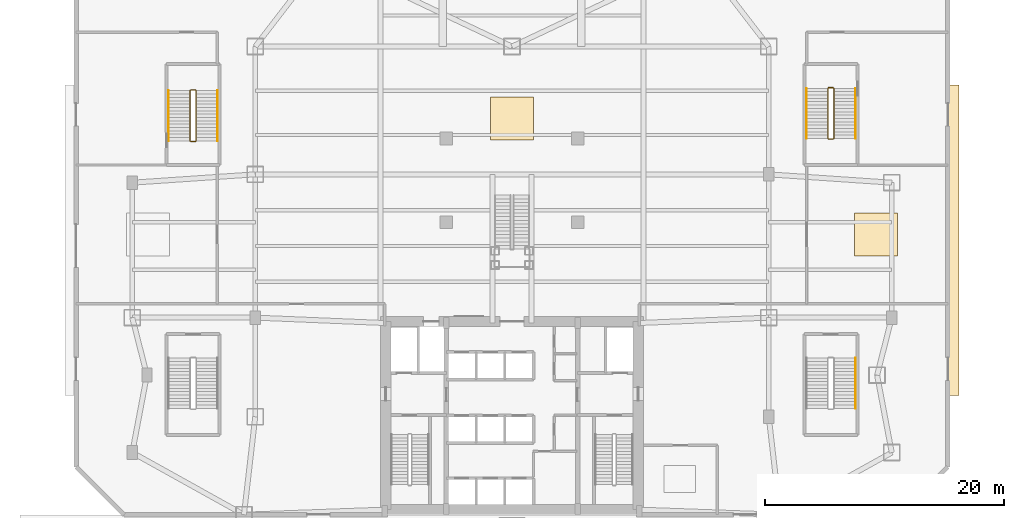
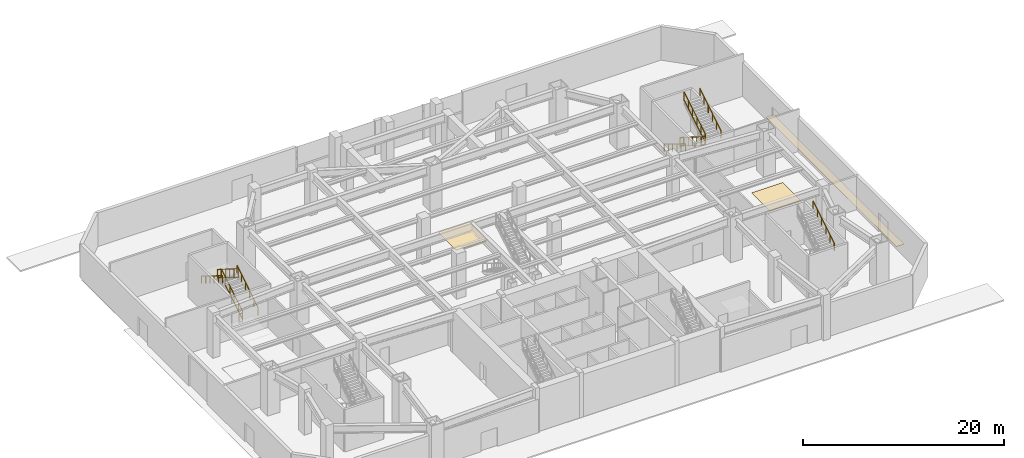
# One storey, part 11 of 11: 13 railings, 3 coverings.
"""IFC4 building model written with IfcOpenShell, lengths in metres."""

from ifc_helpers import new_model, si_unit, direction, frame, origin, origin_2d, place, context, subcontext, project, spatial, rectangle, extrude, source, transform, mapped, material, layer, layer_set, type_object, type_shapes, element, save


model = new_model("IFC4")

# Units and contexts
model_context = context("Model", 3, precision=1e-05, world=origin(), true_north=direction((0.0, 1.0)))
body_context = subcontext(model_context, "Body", "Model", "MODEL_VIEW")
ifc_project = project(units=[si_unit("LENGTHUNIT", "METRE"), si_unit("AREAUNIT", "SQUARE_METRE"), si_unit("VOLUMEUNIT", "CUBIC_METRE"), si_unit("PLANEANGLEUNIT", "RADIAN"), si_unit("MASSUNIT", "GRAM", prefix="KILO")], contexts=[model_context])

# Site, building, storey
site_placement = place(None, origin())
site = spatial("IfcSite", under=ifc_project, at=site_placement, CompositionType="ELEMENT")
building_placement = place(site_placement, origin())
building = spatial("IfcBuilding", under=site, at=building_placement, Name="Varnakhor Terracotta Tower", CompositionType="ELEMENT")
storey_placement = place(building_placement, origin())
storey = spatial("IfcBuildingStorey", under=building, at=storey_placement, Name="L00", CompositionType="ELEMENT", Elevation=0.0)

# Railings
ifc_material_1 = material(Name="Painted Steel Stairwell Guardrail", Category="steel")
railing_type_1 = type_object("IfcRailingType", Name="RLG-STAIR-GUARD-1120", PredefinedType="GUARDRAIL", material=ifc_material_1)
railing_1_placement = place(storey_placement, frame((-26.449951171875, 31.300048828125, 0.171875)))
element("IfcRailing", 1, at=railing_1_placement, inside=storey, type_object=railing_type_1, Name="L00 ST-P3 stair guard 1", PredefinedType="GUARDRAIL", context=body_context, shape_type="SweptSolid", body=[
    extrude(rectangle(XDim=0.048095703125, YDim=0.048095703125, at=origin_2d()), frame((0.0, 0.0, 1.09619140625), z_axis=(0.0, 0.852242915053, 0.523146264196), x_axis=(-1.0, 0.0, 0.0)), (0.0, 0.0, 1.0), 4.92822265625),
    extrude(rectangle(XDim=0.048095703125, YDim=0.048095703125, at=origin_2d()), frame((0.0, 0.0, 0.10009765625), z_axis=(0.0, 0.852242915053, 0.523146264196), x_axis=(-1.0, 0.0, 0.0)), (0.0, 0.0, 1.0), 4.92822265625),
    extrude(rectangle(XDim=0.0419921875, YDim=0.0419921875, at=origin_2d()), origin(), (0.0, 0.0, 1.0), 1.072021484375),
    extrude(rectangle(XDim=0.0419921875, YDim=0.0419921875, at=origin_2d()), frame((0.0, 0.840087890625, 0.515625)), (0.0, 0.0, 1.0), 1.072021484375),
    extrude(rectangle(XDim=0.0419921875, YDim=0.0419921875, at=origin_2d()), frame((0.0, 1.679931640625, 1.03125)), (0.0, 0.0, 1.0), 1.072021484375),
    extrude(rectangle(XDim=0.0419921875, YDim=0.0419921875, at=origin_2d()), frame((0.0, 2.52001953125, 1.546875)), (0.0, 0.0, 1.0), 1.072021484375),
    extrude(rectangle(XDim=0.0419921875, YDim=0.0419921875, at=origin_2d()), frame((0.0, 3.35986328125, 2.0625)), (0.0, 0.0, 1.0), 1.072021484375),
    extrude(rectangle(XDim=0.0419921875, YDim=0.0419921875, at=origin_2d()), frame((0.0, 4.199951171875, 2.578125)), (0.0, 0.0, 1.0), 1.072021484375),
])
railing_2_placement = place(storey_placement, frame((-26.5, 35.550048828125, 2.75)))
element("IfcRailing", 2, at=railing_2_placement, inside=storey, type_object=railing_type_1, Name="L00 ST-P3 stair guard 2", PredefinedType="GUARDRAIL", context=body_context, shape_type="SweptSolid", body=[
    extrude(rectangle(XDim=0.048095703125, YDim=0.048095703125, at=origin_2d()), frame((0.0, 0.0, 1.09619140625), z_axis=(-1.0, 0.0, 0.0), x_axis=(0.0, -1.0, 0.0)), (0.0, 0.0, 1.0), 0.39990234375),
    extrude(rectangle(XDim=0.048095703125, YDim=0.048095703125, at=origin_2d()), frame((0.0, 0.0, 0.10009765625), z_axis=(-1.0, 0.0, 0.0), x_axis=(0.0, -1.0, 0.0)), (0.0, 0.0, 1.0), 0.39990234375),
    extrude(rectangle(XDim=0.0419921875, YDim=0.0419921875, at=origin_2d()), origin(), (0.0, 0.0, 1.0), 1.072021484375),
    extrude(rectangle(XDim=0.0419921875, YDim=0.0419921875, at=origin_2d()), frame((-0.39990234375, 0.0, 0.0)), (0.0, 0.0, 1.0), 1.072021484375),
])
railing_3_placement = place(storey_placement, frame((-26.949951171875, 35.5, 2.921875)))
element("IfcRailing", 3, at=railing_3_placement, inside=storey, type_object=railing_type_1, Name="L00 ST-P3 stair guard 3", PredefinedType="GUARDRAIL", context=body_context, shape_type="SweptSolid", body=[
    extrude(rectangle(XDim=0.048095703125, YDim=0.048095703125, at=origin_2d()), frame((0.0, 0.0, 1.09619140625), z_axis=(0.0, -0.852242915053, 0.523146264196), x_axis=(1.0, 0.0, 0.0)), (0.0, 0.0, 1.0), 4.92822265625),
    extrude(rectangle(XDim=0.048095703125, YDim=0.048095703125, at=origin_2d()), frame((0.0, 0.0, 0.10009765625), z_axis=(0.0, -0.852242915053, 0.523146264196), x_axis=(1.0, 0.0, 0.0)), (0.0, 0.0, 1.0), 4.92822265625),
    extrude(rectangle(XDim=0.0419921875, YDim=0.0419921875, at=origin_2d()), origin(), (0.0, 0.0, 1.0), 1.072021484375),
    extrude(rectangle(XDim=0.0419921875, YDim=0.0419921875, at=origin_2d()), frame((0.0, -0.840087890625, 0.515625)), (0.0, 0.0, 1.0), 1.072021484375),
    extrude(rectangle(XDim=0.0419921875, YDim=0.0419921875, at=origin_2d()), frame((0.0, -1.679931640625, 1.03125)), (0.0, 0.0, 1.0), 1.072021484375),
    extrude(rectangle(XDim=0.0419921875, YDim=0.0419921875, at=origin_2d()), frame((0.0, -2.52001953125, 1.546875)), (0.0, 0.0, 1.0), 1.072021484375),
    extrude(rectangle(XDim=0.0419921875, YDim=0.0419921875, at=origin_2d()), frame((0.0, -3.35986328125, 2.0625)), (0.0, 0.0, 1.0), 1.072021484375),
    extrude(rectangle(XDim=0.0419921875, YDim=0.0419921875, at=origin_2d()), frame((0.0, -4.199951171875, 2.578125)), (0.0, 0.0, 1.0), 1.072021484375),
])
railing_4_placement = place(storey_placement, frame((-26.5, 31.25, 0.0)))
element("IfcRailing", 4, at=railing_4_placement, inside=storey, type_object=railing_type_1, Name="L00 ST-P3 stair guard 4", PredefinedType="GUARDRAIL", context=body_context, shape_type="SweptSolid", body=[
    extrude(rectangle(XDim=0.048095703125, YDim=0.048095703125, at=origin_2d()), frame((0.0, 0.0, 1.09619140625), z_axis=(-1.0, 0.0, 0.0), x_axis=(0.0, -1.0, 0.0)), (0.0, 0.0, 1.0), 0.39990234375),
    extrude(rectangle(XDim=0.048095703125, YDim=0.048095703125, at=origin_2d()), frame((0.0, 0.0, 0.10009765625), z_axis=(-1.0, 0.0, 0.0), x_axis=(0.0, -1.0, 0.0)), (0.0, 0.0, 1.0), 0.39990234375),
    extrude(rectangle(XDim=0.0419921875, YDim=0.0419921875, at=origin_2d()), origin(), (0.0, 0.0, 1.0), 1.072021484375),
    extrude(rectangle(XDim=0.0419921875, YDim=0.0419921875, at=origin_2d()), frame((-0.39990234375, 0.0, 0.0)), (0.0, 0.0, 1.0), 1.072021484375),
])
railing_5_placement = place(storey_placement, frame((26.449951171875, 35.699951171875, 0.171875)))
element("IfcRailing", 5, at=railing_5_placement, inside=storey, type_object=railing_type_1, Name="L00 ST-P4 stair guard 1", PredefinedType="GUARDRAIL", context=body_context, shape_type="SweptSolid", body=[
    extrude(rectangle(XDim=0.048095703125, YDim=0.048095703125, at=origin_2d()), frame((0.0, 0.0, 1.09619140625), z_axis=(0.0, -0.852242915053, 0.523146264196), x_axis=(1.0, 0.0, 0.0)), (0.0, 0.0, 1.0), 4.92822265625),
    extrude(rectangle(XDim=0.048095703125, YDim=0.048095703125, at=origin_2d()), frame((0.0, 0.0, 0.10009765625), z_axis=(0.0, -0.852242915053, 0.523146264196), x_axis=(1.0, 0.0, 0.0)), (0.0, 0.0, 1.0), 4.92822265625),
    extrude(rectangle(XDim=0.0419921875, YDim=0.0419921875, at=origin_2d()), origin(), (0.0, 0.0, 1.0), 1.072021484375),
    extrude(rectangle(XDim=0.0419921875, YDim=0.0419921875, at=origin_2d()), frame((0.0, -0.840087890625, 0.515625)), (0.0, 0.0, 1.0), 1.072021484375),
    extrude(rectangle(XDim=0.0419921875, YDim=0.0419921875, at=origin_2d()), frame((0.0, -1.679931640625, 1.03125)), (0.0, 0.0, 1.0), 1.072021484375),
    extrude(rectangle(XDim=0.0419921875, YDim=0.0419921875, at=origin_2d()), frame((0.0, -2.52001953125, 1.546875)), (0.0, 0.0, 1.0), 1.072021484375),
    extrude(rectangle(XDim=0.0419921875, YDim=0.0419921875, at=origin_2d()), frame((0.0, -3.35986328125, 2.0625)), (0.0, 0.0, 1.0), 1.072021484375),
    extrude(rectangle(XDim=0.0419921875, YDim=0.0419921875, at=origin_2d()), frame((0.0, -4.199951171875, 2.578125)), (0.0, 0.0, 1.0), 1.072021484375),
])
railing_6_placement = place(storey_placement, frame((26.5, 31.449951171875, 2.75)))
element("IfcRailing", 6, at=railing_6_placement, inside=storey, type_object=railing_type_1, Name="L00 ST-P4 stair guard 2", PredefinedType="GUARDRAIL", context=body_context, shape_type="SweptSolid", body=[
    extrude(rectangle(XDim=0.048095703125, YDim=0.048095703125, at=origin_2d()), frame((0.0, 0.0, 1.09619140625), z_axis=(1.0, 0.0, 0.0), x_axis=(0.0, 1.0, 0.0)), (0.0, 0.0, 1.0), 0.39990234375),
    extrude(rectangle(XDim=0.048095703125, YDim=0.048095703125, at=origin_2d()), frame((0.0, 0.0, 0.10009765625), z_axis=(1.0, 0.0, 0.0), x_axis=(0.0, 1.0, 0.0)), (0.0, 0.0, 1.0), 0.39990234375),
    extrude(rectangle(XDim=0.0419921875, YDim=0.0419921875, at=origin_2d()), origin(), (0.0, 0.0, 1.0), 1.072021484375),
    extrude(rectangle(XDim=0.0419921875, YDim=0.0419921875, at=origin_2d()), frame((0.39990234375, 0.0, 0.0)), (0.0, 0.0, 1.0), 1.072021484375),
])
railing_7_placement = place(storey_placement, frame((26.949951171875, 31.5, 2.921875)))
element("IfcRailing", 7, at=railing_7_placement, inside=storey, type_object=railing_type_1, Name="L00 ST-P4 stair guard 3", PredefinedType="GUARDRAIL", context=body_context, shape_type="SweptSolid", body=[
    extrude(rectangle(XDim=0.048095703125, YDim=0.048095703125, at=origin_2d()), frame((0.0, 0.0, 1.09619140625), z_axis=(0.0, 0.852242915053, 0.523146264196), x_axis=(-1.0, 0.0, 0.0)), (0.0, 0.0, 1.0), 4.92822265625),
    extrude(rectangle(XDim=0.048095703125, YDim=0.048095703125, at=origin_2d()), frame((0.0, 0.0, 0.10009765625), z_axis=(0.0, 0.852242915053, 0.523146264196), x_axis=(-1.0, 0.0, 0.0)), (0.0, 0.0, 1.0), 4.92822265625),
    extrude(rectangle(XDim=0.0419921875, YDim=0.0419921875, at=origin_2d()), origin(), (0.0, 0.0, 1.0), 1.072021484375),
    extrude(rectangle(XDim=0.0419921875, YDim=0.0419921875, at=origin_2d()), frame((0.0, 0.840087890625, 0.515625)), (0.0, 0.0, 1.0), 1.072021484375),
    extrude(rectangle(XDim=0.0419921875, YDim=0.0419921875, at=origin_2d()), frame((0.0, 1.679931640625, 1.03125)), (0.0, 0.0, 1.0), 1.072021484375),
    extrude(rectangle(XDim=0.0419921875, YDim=0.0419921875, at=origin_2d()), frame((0.0, 2.52001953125, 1.546875)), (0.0, 0.0, 1.0), 1.072021484375),
    extrude(rectangle(XDim=0.0419921875, YDim=0.0419921875, at=origin_2d()), frame((0.0, 3.35986328125, 2.0625)), (0.0, 0.0, 1.0), 1.072021484375),
    extrude(rectangle(XDim=0.0419921875, YDim=0.0419921875, at=origin_2d()), frame((0.0, 4.199951171875, 2.578125)), (0.0, 0.0, 1.0), 1.072021484375),
])
railing_8_placement = place(storey_placement, frame((26.5, 35.75, 0.0)))
element("IfcRailing", 8, at=railing_8_placement, inside=storey, type_object=railing_type_1, Name="L00 ST-P4 stair guard 4", PredefinedType="GUARDRAIL", context=body_context, shape_type="SweptSolid", body=[
    extrude(rectangle(XDim=0.048095703125, YDim=0.048095703125, at=origin_2d()), frame((0.0, 0.0, 1.09619140625), z_axis=(1.0, 0.0, 0.0), x_axis=(0.0, 1.0, 0.0)), (0.0, 0.0, 1.0), 0.39990234375),
    extrude(rectangle(XDim=0.048095703125, YDim=0.048095703125, at=origin_2d()), frame((0.0, 0.0, 0.10009765625), z_axis=(1.0, 0.0, 0.0), x_axis=(0.0, 1.0, 0.0)), (0.0, 0.0, 1.0), 0.39990234375),
    extrude(rectangle(XDim=0.0419921875, YDim=0.0419921875, at=origin_2d()), origin(), (0.0, 0.0, 1.0), 1.072021484375),
    extrude(rectangle(XDim=0.0419921875, YDim=0.0419921875, at=origin_2d()), frame((0.39990234375, 0.0, 0.0)), (0.0, 0.0, 1.0), 1.072021484375),
])
ifc_material_2 = material(Name="Brushed Stainless Steel Handrail", Category="steel")
railing_type_2 = type_object("IfcRailingType", Name="RLG-STAIR-HANDRAIL-920", PredefinedType="HANDRAIL", material=ifc_material_2)
railing_9_placement = place(storey_placement, frame((28.75, 8.89990234375, 2.921875)))
element("IfcRailing", 9, at=railing_9_placement, inside=storey, type_object=railing_type_2, Name="L00 ST-P2 stair handrail 2", PredefinedType="HANDRAIL", context=body_context, shape_type="SweptSolid", body=[
    extrude(rectangle(XDim=0.048095703125, YDim=0.048095703125, at=origin_2d()), frame((0.0, 0.0, 0.89599609375), z_axis=(0.0, 0.852256472501, 0.523124177495), x_axis=(-1.0, 0.0, 0.0)), (0.0, 0.0, 1.0), 4.92822265625),
    extrude(rectangle(XDim=0.0419921875, YDim=0.0419921875, at=origin_2d()), origin(), (0.0, 0.0, 1.0), 0.871826171875),
    extrude(rectangle(XDim=0.0419921875, YDim=0.0419921875, at=origin_2d()), frame((0.0, 0.840087890625, 0.515625)), (0.0, 0.0, 1.0), 0.871826171875),
    extrude(rectangle(XDim=0.0419921875, YDim=0.0419921875, at=origin_2d()), frame((0.0, 1.68017578125, 1.03125)), (0.0, 0.0, 1.0), 0.871826171875),
    extrude(rectangle(XDim=0.0419921875, YDim=0.0419921875, at=origin_2d()), frame((0.0, 2.52001953125, 1.546875)), (0.0, 0.0, 1.0), 0.871826171875),
    extrude(rectangle(XDim=0.0419921875, YDim=0.0419921875, at=origin_2d()), frame((0.0, 3.360107421875, 2.0625)), (0.0, 0.0, 1.0), 0.871826171875),
    extrude(rectangle(XDim=0.0419921875, YDim=0.0419921875, at=origin_2d()), frame((0.0, 4.2001953125, 2.578125)), (0.0, 0.0, 1.0), 0.871826171875),
])
railing_10_placement = place(storey_placement, frame((-24.64990234375, 31.300048828125, 0.171875)))
element("IfcRailing", 10, at=railing_10_placement, inside=storey, type_object=railing_type_2, Name="L00 ST-P3 stair handrail 1", PredefinedType="HANDRAIL", context=body_context, shape_type="SweptSolid", body=[
    extrude(rectangle(XDim=0.048095703125, YDim=0.048095703125, at=origin_2d()), frame((0.0, 0.0, 0.89599609375), z_axis=(0.0, 0.852242915053, 0.523146264196), x_axis=(-1.0, 0.0, 0.0)), (0.0, 0.0, 1.0), 4.92822265625),
    extrude(rectangle(XDim=0.0419921875, YDim=0.0419921875, at=origin_2d()), origin(), (0.0, 0.0, 1.0), 0.871826171875),
    extrude(rectangle(XDim=0.0419921875, YDim=0.0419921875, at=origin_2d()), frame((0.0, 0.840087890625, 0.515625)), (0.0, 0.0, 1.0), 0.871826171875),
    extrude(rectangle(XDim=0.0419921875, YDim=0.0419921875, at=origin_2d()), frame((0.0, 1.679931640625, 1.03125)), (0.0, 0.0, 1.0), 0.871826171875),
    extrude(rectangle(XDim=0.0419921875, YDim=0.0419921875, at=origin_2d()), frame((0.0, 2.52001953125, 1.546875)), (0.0, 0.0, 1.0), 0.871826171875),
    extrude(rectangle(XDim=0.0419921875, YDim=0.0419921875, at=origin_2d()), frame((0.0, 3.35986328125, 2.0625)), (0.0, 0.0, 1.0), 0.871826171875),
    extrude(rectangle(XDim=0.0419921875, YDim=0.0419921875, at=origin_2d()), frame((0.0, 4.199951171875, 2.578125)), (0.0, 0.0, 1.0), 0.871826171875),
])
for number, where, name in (
    (11, (-28.75, 35.5, 2.921875), "L00 ST-P3 stair handrail 2"),
    (12, (24.64990234375, 35.699951171875, 0.171875), "L00 ST-P4 stair handrail 1"),
):
    element("IfcRailing", number, at=place(storey_placement, frame(where)), inside=storey, type_object=railing_type_2, Name=name, PredefinedType="HANDRAIL", context=body_context, shape_type="SweptSolid", body=[
        extrude(rectangle(XDim=0.048095703125, YDim=0.048095703125, at=origin_2d()), frame((0.0, 0.0, 0.89599609375), z_axis=(0.0, -0.852242915053, 0.523146264196), x_axis=(1.0, 0.0, 0.0)), (0.0, 0.0, 1.0), 4.92822265625),
        extrude(rectangle(XDim=0.0419921875, YDim=0.0419921875, at=origin_2d()), origin(), (0.0, 0.0, 1.0), 0.871826171875),
        extrude(rectangle(XDim=0.0419921875, YDim=0.0419921875, at=origin_2d()), frame((0.0, -0.840087890625, 0.515625)), (0.0, 0.0, 1.0), 0.871826171875),
        extrude(rectangle(XDim=0.0419921875, YDim=0.0419921875, at=origin_2d()), frame((0.0, -1.679931640625, 1.03125)), (0.0, 0.0, 1.0), 0.871826171875),
        extrude(rectangle(XDim=0.0419921875, YDim=0.0419921875, at=origin_2d()), frame((0.0, -2.52001953125, 1.546875)), (0.0, 0.0, 1.0), 0.871826171875),
        extrude(rectangle(XDim=0.0419921875, YDim=0.0419921875, at=origin_2d()), frame((0.0, -3.35986328125, 2.0625)), (0.0, 0.0, 1.0), 0.871826171875),
        extrude(rectangle(XDim=0.0419921875, YDim=0.0419921875, at=origin_2d()), frame((0.0, -4.199951171875, 2.578125)), (0.0, 0.0, 1.0), 0.871826171875),
    ])
railing_11_placement = place(storey_placement, frame((28.75, 31.5, 2.921875)))
element("IfcRailing", 13, at=railing_11_placement, inside=storey, type_object=railing_type_2, Name="L00 ST-P4 stair handrail 2", PredefinedType="HANDRAIL", context=body_context, shape_type="SweptSolid", body=[
    extrude(rectangle(XDim=0.048095703125, YDim=0.048095703125, at=origin_2d()), frame((0.0, 0.0, 0.89599609375), z_axis=(0.0, 0.852242915053, 0.523146264196), x_axis=(-1.0, 0.0, 0.0)), (0.0, 0.0, 1.0), 4.92822265625),
    extrude(rectangle(XDim=0.0419921875, YDim=0.0419921875, at=origin_2d()), origin(), (0.0, 0.0, 1.0), 0.871826171875),
    extrude(rectangle(XDim=0.0419921875, YDim=0.0419921875, at=origin_2d()), frame((0.0, 0.840087890625, 0.515625)), (0.0, 0.0, 1.0), 0.871826171875),
    extrude(rectangle(XDim=0.0419921875, YDim=0.0419921875, at=origin_2d()), frame((0.0, 1.679931640625, 1.03125)), (0.0, 0.0, 1.0), 0.871826171875),
    extrude(rectangle(XDim=0.0419921875, YDim=0.0419921875, at=origin_2d()), frame((0.0, 2.52001953125, 1.546875)), (0.0, 0.0, 1.0), 0.871826171875),
    extrude(rectangle(XDim=0.0419921875, YDim=0.0419921875, at=origin_2d()), frame((0.0, 3.35986328125, 2.0625)), (0.0, 0.0, 1.0), 0.871826171875),
    extrude(rectangle(XDim=0.0419921875, YDim=0.0419921875, at=origin_2d()), frame((0.0, 4.199951171875, 2.578125)), (0.0, 0.0, 1.0), 0.871826171875),
])

# Coverings
ifc_material_3 = material(Name="Honed Riyadh Limestone Flooring", Category="masonry")
ifc_layer = layer(ifc_material_3, 0.030029296875, Name="Honed Riyadh Limestone Flooring")
ifc_layer_set = layer_set([ifc_layer], Name="Honed Riyadh Limestone Flooring")
covering_type = type_object("IfcCoveringType", Name="COV-FLOOR-LIMESTONE", PredefinedType="FLOORING", material=ifc_layer_set)
shared_shape_1 = source(origin(), body_context, "Body", "SweptSolid", [
    extrude(rectangle(XDim=0.89990234375, YDim=26.0, at=origin_2d()), origin(), (0.0, 0.0, 1.0), 0.0400390625),
])
type_shapes(covering_type, [shared_shape_1])
covering_placement = place(storey_placement, frame((36.97998046875, 23.0, -0.0400390625), z_axis=(0.0, 0.0, 1.0), x_axis=(1.0, 0.0, 0.0)))
element("IfcCovering", 14, at=covering_placement, inside=storey, type_object=covering_type, Name="L00 Entrance Threshold Stone Paving EAST", PredefinedType="FLOORING", context=body_context, shape_type="MappedRepresentation", body=[
    mapped(shared_shape_1, transform((0.0, 0.0, 0.0), scale=1.0)),
])
shared_shape_2 = source(origin(), body_context, "Body", "SweptSolid", [
    extrude(rectangle(XDim=3.60009765625, YDim=3.60009765625, at=origin_2d()), origin(), (0.0, 0.0, 1.0), 0.02001953125),
])
for number, where, z_axis, x_axis, name in (
    (15, (30.493896484375, 23.47900390625, 0.0), (0.0, 0.0, 1.0), (1.0, 0.0, 0.0), "L00 Honed Stone Flooring 3"),
    (16, (0.0, 33.169921875, 0.0), (0.0, 0.0, 1.0), (1.0, 0.0, 0.0), "L00 Honed Stone Flooring 4"),
):
    element("IfcCovering", number, at=place(storey_placement, frame(where, z_axis=z_axis, x_axis=x_axis)), inside=storey, type_object=covering_type, Name=name, PredefinedType="FLOORING", context=body_context, shape_type="MappedRepresentation", body=[
        mapped(shared_shape_2, transform((0.0, 0.0, 0.0), scale=1.0)),
    ])

save(model, "model.ifc")
